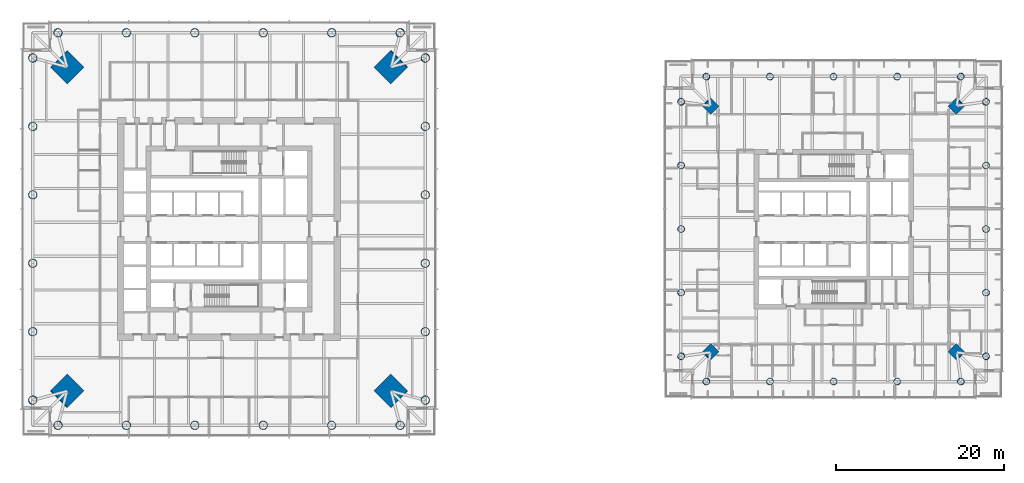
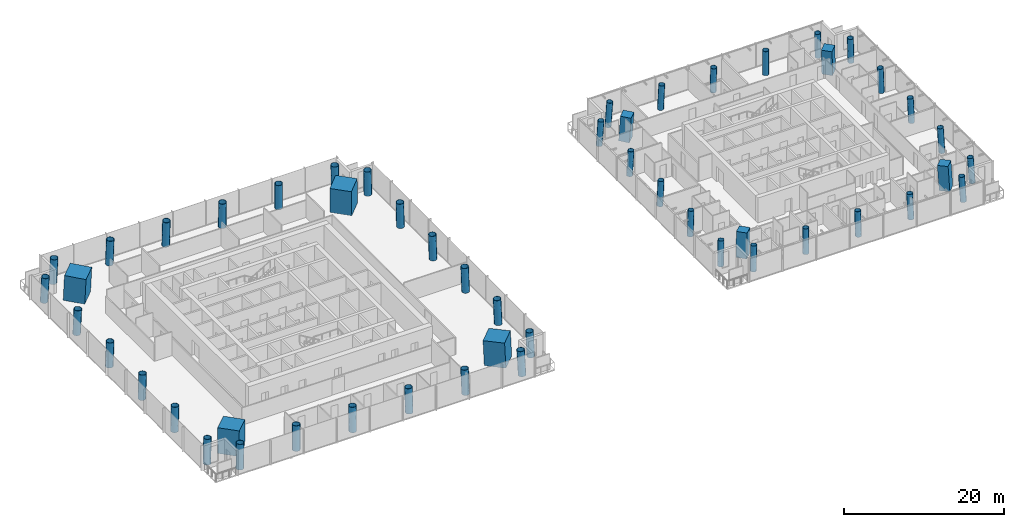
# One storey, part 1 of 22: 52 columns.
"""IFC4 building model written with IfcOpenShell, lengths in metres."""

from ifc_helpers import new_model, si_unit, direction, frame, origin, origin_2d, place, context, subcontext, project, spatial, rectangle, hollow_circle, extrude, material, material_profile, profile_set, type_object, element, save


model = new_model("IFC4")

# Units and contexts
model_context = context("Model", 3, precision=1e-05, world=origin(), true_north=direction((0.0, 1.0)))
body_context = subcontext(model_context, "Body", "Model", "MODEL_VIEW")
ifc_project = project(units=[si_unit("LENGTHUNIT", "METRE"), si_unit("AREAUNIT", "SQUARE_METRE"), si_unit("VOLUMEUNIT", "CUBIC_METRE"), si_unit("PLANEANGLEUNIT", "RADIAN"), si_unit("MASSUNIT", "GRAM", prefix="KILO")], contexts=[model_context])

# Site, building, storey
site_placement = place(None, origin())
site = spatial("IfcSite", under=ifc_project, at=site_placement, CompositionType="ELEMENT")
building_placement = place(site_placement, origin())
building = spatial("IfcBuilding", under=site, at=building_placement, Name="Ostroluk Exchange", CompositionType="ELEMENT")
storey_placement = place(building_placement, frame((0.0, 0.0, 40.0)))
storey = spatial("IfcBuildingStorey", under=building, at=storey_placement, Name="L09", CompositionType="ELEMENT", Elevation=40.0)

# Columns
ifc_material_1 = material(Name="Concrete C50/60", Category="concrete")
ifc_material_profile_1 = material_profile(ifc_material_1, rectangle(XDim=1.39990234375, YDim=1.39990234375, at=origin_2d()), Name="RC 1400x1400")
ifc_profile_set_1 = profile_set([ifc_material_profile_1], Name="Concrete C50/60")
column_type_1 = type_object("IfcColumnType", Name="Mega column RC 1400x1400", PredefinedType="COLUMN", material=ifc_profile_set_1)
for number, where, z_axis, x_axis, name in (
    (1, (131.68115234375, 60.68115234375, 0.0), (-0.043029647111, -0.043029647111, 0.998146732169), (0.707106781187, -0.707106781187, 0.0), "T2 mega column NE"),
    (2, (102.31884765625, 60.68115234375, 0.0), (0.043029647111, -0.043029647111, 0.998146732169), (0.707106781187, 0.707106781187, 0.0), "T2 mega column NW"),
    (3, (102.31884765625, 31.31884765625, 0.0), (0.043029647111, 0.043029647111, 0.998146732169), (-0.707106781187, 0.707106781187, 0.0), "T2 mega column SW"),
    (4, (131.68115234375, 31.31884765625, 0.0), (-0.043029647111, 0.043029647111, 0.998146732169), (-0.707106781187, -0.707106781187, 0.0), "T2 mega column SE"),
):
    element("IfcColumn", number, at=place(storey_placement, frame(where, z_axis=z_axis, x_axis=x_axis)), inside=storey, type_object=column_type_1, Name=name, PredefinedType="COLUMN", context=body_context, shape_type="SweptSolid", body=[
        extrude(rectangle(XDim=1.39990234375, YDim=1.39990234375, at=origin_2d()), origin(), (0.0, 0.0, 1.0), 3.80712890625),
    ])
ifc_material_2 = material(Name="Concrete C50/60", Category="concrete")
ifc_material_profile_2 = material_profile(ifc_material_2, rectangle(XDim=2.800048828125, YDim=2.800048828125, at=origin_2d()), Name="RC 2800x2800")
ifc_profile_set_2 = profile_set([ifc_material_profile_2], Name="Concrete C50/60")
column_type_2 = type_object("IfcColumnType", Name="Mega column RC 2800x2800", PredefinedType="COLUMN", material=ifc_profile_set_2)
for number, where, z_axis, x_axis, name in (
    (5, (64.29296875, 65.29296875, 0.0), (-0.031962158256, -0.031962158256, 0.998977898093), (0.707106781187, -0.707106781187, 0.0), "T1 mega column NE"),
    (6, (25.70703125, 65.29296875, 0.0), (0.031962158256, -0.031962158256, 0.998977898093), (0.707106781187, 0.707106781187, 0.0), "T1 mega column NW"),
    (7, (25.70703125, 26.70703125, 0.0), (0.031962158256, 0.031962158256, 0.998977898093), (-0.707106781187, 0.707106781187, 0.0), "T1 mega column SW"),
    (8, (64.29296875, 26.70703125, 0.0), (-0.031962158256, 0.031962158256, 0.998977898093), (-0.707106781187, -0.707106781187, 0.0), "T1 mega column SE"),
):
    element("IfcColumn", number, at=place(storey_placement, frame(where, z_axis=z_axis, x_axis=x_axis)), inside=storey, type_object=column_type_2, Name=name, PredefinedType="COLUMN", context=body_context, shape_type="SweptSolid", body=[
        extrude(rectangle(XDim=2.800048828125, YDim=2.800048828125, at=origin_2d()), origin(), (0.0, 0.0, 1.0), 3.803955078125),
    ])
ifc_material_3 = material(Name="Steel S460", Category="steel")
ifc_material_profile_3 = material_profile(ifc_material_3, hollow_circle(Radius=0.508056640625, WallThickness=0.0400390625, at=origin_2d()), Name="CHS 1016x40")
ifc_profile_set_3 = profile_set([ifc_material_profile_3], Name="Steel S460")
column_type_3 = type_object("IfcColumnType", Name="Perimeter column CHS 1016x40", PredefinedType="COLUMN", material=ifc_profile_set_3)
for number, where, z_axis, x_axis, name in (
    (9, (68.392822265625, 25.607177734375, 0.0), (-0.031898107953, 0.031898107953, 0.998981992539), (-0.707106781187, -0.707106781187, 0.0), "T1 east face column E0"),
    (10, (68.392822265625, 66.392822265625, 0.0), (-0.031898107953, -0.031898107953, 0.998981992539), (0.707106781187, -0.707106781187, 0.0), "T1 east face column E1"),
):
    element("IfcColumn", number, at=place(storey_placement, frame(where, z_axis=z_axis, x_axis=x_axis)), inside=storey, type_object=column_type_3, Name=name, PredefinedType="COLUMN", context=body_context, shape_type="SweptSolid", body=[
        extrude(hollow_circle(Radius=0.508056640625, WallThickness=0.0400390625, at=origin_2d()), origin(), (0.0, 0.0, 1.0), 3.803955078125),
    ])
column_1_placement = place(storey_placement, frame((68.392822265625, 33.764404296875, 0.0), z_axis=(-0.031908506785, 0.019132263625, 0.999307662176), x_axis=(-0.514241961696, -0.857645150882, 0.0)))
element("IfcColumn", 11, at=column_1_placement, inside=storey, type_object=column_type_3, Name="T1 east face column I1", PredefinedType="COLUMN", context=body_context, shape_type="SweptSolid", body=[
    extrude(hollow_circle(Radius=0.508056640625, WallThickness=0.0400390625, at=origin_2d()), origin(), (0.0, 0.0, 1.0), 3.802734375),
])
for number, where, z_axis, x_axis, name in (
    (12, (68.392822265625, 41.92138671875, 0.0), (-0.031913690376, 0.006421265669, 0.999470001408), (-0.197254006954, -0.980352414563, 0.0), "T1 east face column I2"),
    (13, (68.392822265625, 50.07861328125, 0.0), (-0.031913690376, -0.006421265669, 0.999470001408), (0.197254006954, -0.980352414563, 0.0), "T1 east face column I3"),
):
    element("IfcColumn", number, at=place(storey_placement, frame(where, z_axis=z_axis, x_axis=x_axis)), inside=storey, type_object=column_type_3, Name=name, PredefinedType="COLUMN", context=body_context, shape_type="SweptSolid", body=[
        extrude(hollow_circle(Radius=0.508056640625, WallThickness=0.0400390625, at=origin_2d()), origin(), (0.0, 0.0, 1.0), 3.802001953125),
    ])
column_2_placement = place(storey_placement, frame((68.392822265625, 58.235595703125, 0.0), z_axis=(-0.031908506785, -0.019132263625, 0.999307662176), x_axis=(0.514241961696, -0.857645150882, 0.0)))
element("IfcColumn", 14, at=column_2_placement, inside=storey, type_object=column_type_3, Name="T1 east face column I4", PredefinedType="COLUMN", context=body_context, shape_type="SweptSolid", body=[
    extrude(hollow_circle(Radius=0.508056640625, WallThickness=0.0400390625, at=origin_2d()), origin(), (0.0, 0.0, 1.0), 3.802734375),
])
for number, where, z_axis, x_axis, name in (
    (15, (65.392822265625, 69.392822265625, 0.0), (-0.031898107953, -0.031898107953, 0.998981992539), (0.707106781187, -0.707106781187, 0.0), "T1 north face column E0"),
    (16, (24.607177734375, 69.392822265625, 0.0), (0.031898107953, -0.031898107953, 0.998981992539), (0.707106781187, 0.707106781187, 0.0), "T1 north face column E1"),
):
    element("IfcColumn", number, at=place(storey_placement, frame(where, z_axis=z_axis, x_axis=x_axis)), inside=storey, type_object=column_type_3, Name=name, PredefinedType="COLUMN", context=body_context, shape_type="SweptSolid", body=[
        extrude(hollow_circle(Radius=0.508056640625, WallThickness=0.0400390625, at=origin_2d()), origin(), (0.0, 0.0, 1.0), 3.803955078125),
    ])
column_3_placement = place(storey_placement, frame((57.235595703125, 69.392822265625, 0.0), z_axis=(-0.019132263625, -0.031908506785, 0.999307662176), x_axis=(0.857645150882, -0.514241961696, 0.0)))
element("IfcColumn", 17, at=column_3_placement, inside=storey, type_object=column_type_3, Name="T1 north face column I1", PredefinedType="COLUMN", context=body_context, shape_type="SweptSolid", body=[
    extrude(hollow_circle(Radius=0.508056640625, WallThickness=0.0400390625, at=origin_2d()), origin(), (0.0, 0.0, 1.0), 3.802734375),
])
for number, where, z_axis, x_axis, name in (
    (18, (49.07861328125, 69.392822265625, 0.0), (-0.006421265669, -0.031913690376, 0.999470001408), (0.980352414563, -0.197254006954, 0.0), "T1 north face column I2"),
    (19, (40.92138671875, 69.392822265625, 0.0), (0.006421265669, -0.031913690376, 0.999470001408), (0.980352414563, 0.197254006954, 0.0), "T1 north face column I3"),
):
    element("IfcColumn", number, at=place(storey_placement, frame(where, z_axis=z_axis, x_axis=x_axis)), inside=storey, type_object=column_type_3, Name=name, PredefinedType="COLUMN", context=body_context, shape_type="SweptSolid", body=[
        extrude(hollow_circle(Radius=0.508056640625, WallThickness=0.0400390625, at=origin_2d()), origin(), (0.0, 0.0, 1.0), 3.802001953125),
    ])
column_4_placement = place(storey_placement, frame((32.764404296875, 69.392822265625, 0.0), z_axis=(0.019132263625, -0.031908506785, 0.999307662176), x_axis=(0.857645150882, 0.514241961696, 0.0)))
element("IfcColumn", 20, at=column_4_placement, inside=storey, type_object=column_type_3, Name="T1 north face column I4", PredefinedType="COLUMN", context=body_context, shape_type="SweptSolid", body=[
    extrude(hollow_circle(Radius=0.508056640625, WallThickness=0.0400390625, at=origin_2d()), origin(), (0.0, 0.0, 1.0), 3.802734375),
])
for number, where, z_axis, x_axis, name in (
    (21, (21.607177734375, 66.392822265625, 0.0), (0.031898107953, -0.031898107953, 0.998981992539), (0.707106781187, 0.707106781187, 0.0), "T1 west face column E0"),
    (22, (21.607177734375, 25.607177734375, 0.0), (0.031898107953, 0.031898107953, 0.998981992539), (-0.707106781187, 0.707106781187, 0.0), "T1 west face column E1"),
):
    element("IfcColumn", number, at=place(storey_placement, frame(where, z_axis=z_axis, x_axis=x_axis)), inside=storey, type_object=column_type_3, Name=name, PredefinedType="COLUMN", context=body_context, shape_type="SweptSolid", body=[
        extrude(hollow_circle(Radius=0.508056640625, WallThickness=0.0400390625, at=origin_2d()), origin(), (0.0, 0.0, 1.0), 3.803955078125),
    ])
column_5_placement = place(storey_placement, frame((21.607177734375, 58.235595703125, 0.0), z_axis=(0.031908506785, -0.019132263625, 0.999307662176), x_axis=(0.514241961696, 0.857645150882, 0.0)))
element("IfcColumn", 23, at=column_5_placement, inside=storey, type_object=column_type_3, Name="T1 west face column I1", PredefinedType="COLUMN", context=body_context, shape_type="SweptSolid", body=[
    extrude(hollow_circle(Radius=0.508056640625, WallThickness=0.0400390625, at=origin_2d()), origin(), (0.0, 0.0, 1.0), 3.802734375),
])
for number, where, z_axis, x_axis, name in (
    (24, (21.607177734375, 50.07861328125, 0.0), (0.031913690376, -0.006421265669, 0.999470001408), (0.197254006954, 0.980352414563, 0.0), "T1 west face column I2"),
    (25, (21.607177734375, 41.92138671875, 0.0), (0.031913690376, 0.006421265669, 0.999470001408), (-0.197254006954, 0.980352414563, 0.0), "T1 west face column I3"),
):
    element("IfcColumn", number, at=place(storey_placement, frame(where, z_axis=z_axis, x_axis=x_axis)), inside=storey, type_object=column_type_3, Name=name, PredefinedType="COLUMN", context=body_context, shape_type="SweptSolid", body=[
        extrude(hollow_circle(Radius=0.508056640625, WallThickness=0.0400390625, at=origin_2d()), origin(), (0.0, 0.0, 1.0), 3.802001953125),
    ])
column_6_placement = place(storey_placement, frame((21.607177734375, 33.764404296875, 0.0), z_axis=(0.031908506785, 0.019132263625, 0.999307662176), x_axis=(-0.514241961696, 0.857645150882, 0.0)))
element("IfcColumn", 26, at=column_6_placement, inside=storey, type_object=column_type_3, Name="T1 west face column I4", PredefinedType="COLUMN", context=body_context, shape_type="SweptSolid", body=[
    extrude(hollow_circle(Radius=0.508056640625, WallThickness=0.0400390625, at=origin_2d()), origin(), (0.0, 0.0, 1.0), 3.802734375),
])
for number, where, z_axis, x_axis, name in (
    (27, (24.607177734375, 22.607177734375, 0.0), (0.031898107953, 0.031898107953, 0.998981992539), (-0.707106781187, 0.707106781187, 0.0), "T1 south face column E0"),
    (28, (65.392822265625, 22.607177734375, 0.0), (-0.031898107953, 0.031898107953, 0.998981992539), (-0.707106781187, -0.707106781187, 0.0), "T1 south face column E1"),
):
    element("IfcColumn", number, at=place(storey_placement, frame(where, z_axis=z_axis, x_axis=x_axis)), inside=storey, type_object=column_type_3, Name=name, PredefinedType="COLUMN", context=body_context, shape_type="SweptSolid", body=[
        extrude(hollow_circle(Radius=0.508056640625, WallThickness=0.0400390625, at=origin_2d()), origin(), (0.0, 0.0, 1.0), 3.803955078125),
    ])
column_7_placement = place(storey_placement, frame((32.764404296875, 22.607177734375, 0.0), z_axis=(0.019132263625, 0.031908506785, 0.999307662176), x_axis=(-0.857645150882, 0.514241961696, 0.0)))
element("IfcColumn", 29, at=column_7_placement, inside=storey, type_object=column_type_3, Name="T1 south face column I1", PredefinedType="COLUMN", context=body_context, shape_type="SweptSolid", body=[
    extrude(hollow_circle(Radius=0.508056640625, WallThickness=0.0400390625, at=origin_2d()), origin(), (0.0, 0.0, 1.0), 3.802734375),
])
for number, where, z_axis, x_axis, name in (
    (30, (40.92138671875, 22.607177734375, 0.0), (0.006421265669, 0.031913690376, 0.999470001408), (-0.980352414563, 0.197254006954, 0.0), "T1 south face column I2"),
    (31, (49.07861328125, 22.607177734375, 0.0), (-0.006421265669, 0.031913690376, 0.999470001408), (-0.980352414563, -0.197254006954, 0.0), "T1 south face column I3"),
):
    element("IfcColumn", number, at=place(storey_placement, frame(where, z_axis=z_axis, x_axis=x_axis)), inside=storey, type_object=column_type_3, Name=name, PredefinedType="COLUMN", context=body_context, shape_type="SweptSolid", body=[
        extrude(hollow_circle(Radius=0.508056640625, WallThickness=0.0400390625, at=origin_2d()), origin(), (0.0, 0.0, 1.0), 3.802001953125),
    ])
column_8_placement = place(storey_placement, frame((57.235595703125, 22.607177734375, 0.0), z_axis=(-0.019132263625, 0.031908506785, 0.999307662176), x_axis=(-0.857645150882, -0.514241961696, 0.0)))
element("IfcColumn", 32, at=column_8_placement, inside=storey, type_object=column_type_3, Name="T1 south face column I4", PredefinedType="COLUMN", context=body_context, shape_type="SweptSolid", body=[
    extrude(hollow_circle(Radius=0.508056640625, WallThickness=0.0400390625, at=origin_2d()), origin(), (0.0, 0.0, 1.0), 3.802734375),
])
ifc_material_4 = material(Name="Steel S460", Category="steel")
ifc_material_profile_4 = material_profile(ifc_material_4, hollow_circle(Radius=0.406494140625, WallThickness=0.030029296875, at=origin_2d()), Name="CHS 813x30")
ifc_profile_set_4 = profile_set([ifc_material_profile_4], Name="Steel S460")
column_type_4 = type_object("IfcColumnType", Name="Perimeter column CHS 813x30", PredefinedType="COLUMN", material=ifc_profile_set_4)
for number, where, z_axis, x_axis, name in (
    (33, (135.18115234375, 30.81884765625, 0.0), (-0.043029647111, 0.043029647111, 0.998146732169), (-0.707106781187, -0.707106781187, 0.0), "T2 east face column E0"),
    (34, (135.18115234375, 61.18115234375, 0.0), (-0.043029647111, -0.043029647111, 0.998146732169), (0.707106781187, -0.707106781187, 0.0), "T2 east face column E1"),
):
    element("IfcColumn", number, at=place(storey_placement, frame(where, z_axis=z_axis, x_axis=x_axis)), inside=storey, type_object=column_type_4, Name=name, PredefinedType="COLUMN", context=body_context, shape_type="SweptSolid", body=[
        extrude(hollow_circle(Radius=0.406494140625, WallThickness=0.030029296875, at=origin_2d()), origin(), (0.0, 0.0, 1.0), 3.80712890625),
    ])
column_9_placement = place(storey_placement, frame((135.18115234375, 38.409423828125, 0.0), z_axis=(-0.043059525333, 0.021561848751, 0.998839808957), x_axis=(-0.44774654769, -0.894160516368, 0.0)))
element("IfcColumn", 35, at=column_9_placement, inside=storey, type_object=column_type_4, Name="T2 east face column I1", PredefinedType="COLUMN", context=body_context, shape_type="SweptSolid", body=[
    extrude(hollow_circle(Radius=0.406494140625, WallThickness=0.030029296875, at=origin_2d()), origin(), (0.0, 0.0, 1.0), 3.804443359375),
])
column_10_placement = place(storey_placement, frame((135.18115234375, 46.0, 0.0), z_axis=(-0.043069538298, 0.0, 0.999072076915), x_axis=(0.0, -1.0, 0.0)))
element("IfcColumn", 36, at=column_10_placement, inside=storey, type_object=column_type_4, Name="T2 east face column I2", PredefinedType="COLUMN", context=body_context, shape_type="SweptSolid", body=[
    extrude(hollow_circle(Radius=0.406494140625, WallThickness=0.030029296875, at=origin_2d()), origin(), (0.0, 0.0, 1.0), 3.803466796875),
])
column_11_placement = place(storey_placement, frame((135.18115234375, 53.590576171875, 0.0), z_axis=(-0.043059525333, -0.021561848751, 0.998839808957), x_axis=(0.44774654769, -0.894160516368, 0.0)))
element("IfcColumn", 37, at=column_11_placement, inside=storey, type_object=column_type_4, Name="T2 east face column I3", PredefinedType="COLUMN", context=body_context, shape_type="SweptSolid", body=[
    extrude(hollow_circle(Radius=0.406494140625, WallThickness=0.030029296875, at=origin_2d()), origin(), (0.0, 0.0, 1.0), 3.804443359375),
])
for number, where, z_axis, x_axis, name in (
    (38, (132.18115234375, 64.18115234375, 0.0), (-0.043029647111, -0.043029647111, 0.998146732169), (0.707106781187, -0.707106781187, 0.0), "T2 north face column E0"),
    (39, (101.81884765625, 64.18115234375, 0.0), (0.043029647111, -0.043029647111, 0.998146732169), (0.707106781187, 0.707106781187, 0.0), "T2 north face column E1"),
):
    element("IfcColumn", number, at=place(storey_placement, frame(where, z_axis=z_axis, x_axis=x_axis)), inside=storey, type_object=column_type_4, Name=name, PredefinedType="COLUMN", context=body_context, shape_type="SweptSolid", body=[
        extrude(hollow_circle(Radius=0.406494140625, WallThickness=0.030029296875, at=origin_2d()), origin(), (0.0, 0.0, 1.0), 3.80712890625),
    ])
column_12_placement = place(storey_placement, frame((124.590576171875, 64.18115234375, 0.0), z_axis=(-0.021561848751, -0.043059525333, 0.998839808957), x_axis=(0.894160516368, -0.44774654769, 0.0)))
element("IfcColumn", 40, at=column_12_placement, inside=storey, type_object=column_type_4, Name="T2 north face column I1", PredefinedType="COLUMN", context=body_context, shape_type="SweptSolid", body=[
    extrude(hollow_circle(Radius=0.406494140625, WallThickness=0.030029296875, at=origin_2d()), origin(), (0.0, 0.0, 1.0), 3.804443359375),
])
column_13_placement = place(storey_placement, frame((117.0, 64.18115234375, 0.0), z_axis=(0.0, -0.043069538298, 0.999072076915), x_axis=(1.0, 0.0, 0.0)))
element("IfcColumn", 41, at=column_13_placement, inside=storey, type_object=column_type_4, Name="T2 north face column I2", PredefinedType="COLUMN", context=body_context, shape_type="SweptSolid", body=[
    extrude(hollow_circle(Radius=0.406494140625, WallThickness=0.030029296875, at=origin_2d()), origin(), (0.0, 0.0, 1.0), 3.803466796875),
])
column_14_placement = place(storey_placement, frame((109.409423828125, 64.18115234375, 0.0), z_axis=(0.021561848751, -0.043059525333, 0.998839808957), x_axis=(0.894160516368, 0.44774654769, 0.0)))
element("IfcColumn", 42, at=column_14_placement, inside=storey, type_object=column_type_4, Name="T2 north face column I3", PredefinedType="COLUMN", context=body_context, shape_type="SweptSolid", body=[
    extrude(hollow_circle(Radius=0.406494140625, WallThickness=0.030029296875, at=origin_2d()), origin(), (0.0, 0.0, 1.0), 3.804443359375),
])
for number, where, z_axis, x_axis, name in (
    (43, (98.81884765625, 61.18115234375, 0.0), (0.043029647111, -0.043029647111, 0.998146732169), (0.707106781187, 0.707106781187, 0.0), "T2 west face column E0"),
    (44, (98.81884765625, 30.81884765625, 0.0), (0.043029647111, 0.043029647111, 0.998146732169), (-0.707106781187, 0.707106781187, 0.0), "T2 west face column E1"),
):
    element("IfcColumn", number, at=place(storey_placement, frame(where, z_axis=z_axis, x_axis=x_axis)), inside=storey, type_object=column_type_4, Name=name, PredefinedType="COLUMN", context=body_context, shape_type="SweptSolid", body=[
        extrude(hollow_circle(Radius=0.406494140625, WallThickness=0.030029296875, at=origin_2d()), origin(), (0.0, 0.0, 1.0), 3.80712890625),
    ])
column_15_placement = place(storey_placement, frame((98.81884765625, 53.590576171875, 0.0), z_axis=(0.043059525333, -0.021561848751, 0.998839808957), x_axis=(0.44774654769, 0.894160516368, 0.0)))
element("IfcColumn", 45, at=column_15_placement, inside=storey, type_object=column_type_4, Name="T2 west face column I1", PredefinedType="COLUMN", context=body_context, shape_type="SweptSolid", body=[
    extrude(hollow_circle(Radius=0.406494140625, WallThickness=0.030029296875, at=origin_2d()), origin(), (0.0, 0.0, 1.0), 3.804443359375),
])
column_16_placement = place(storey_placement, frame((98.81884765625, 46.0, 0.0), z_axis=(0.043069538298, 0.0, 0.999072076915), x_axis=(0.0, 1.0, 0.0)))
element("IfcColumn", 46, at=column_16_placement, inside=storey, type_object=column_type_4, Name="T2 west face column I2", PredefinedType="COLUMN", context=body_context, shape_type="SweptSolid", body=[
    extrude(hollow_circle(Radius=0.406494140625, WallThickness=0.030029296875, at=origin_2d()), origin(), (0.0, 0.0, 1.0), 3.803466796875),
])
column_17_placement = place(storey_placement, frame((98.81884765625, 38.409423828125, 0.0), z_axis=(0.043059525333, 0.021561848751, 0.998839808957), x_axis=(-0.44774654769, 0.894160516368, 0.0)))
element("IfcColumn", 47, at=column_17_placement, inside=storey, type_object=column_type_4, Name="T2 west face column I3", PredefinedType="COLUMN", context=body_context, shape_type="SweptSolid", body=[
    extrude(hollow_circle(Radius=0.406494140625, WallThickness=0.030029296875, at=origin_2d()), origin(), (0.0, 0.0, 1.0), 3.804443359375),
])
for number, where, z_axis, x_axis, name in (
    (48, (101.81884765625, 27.81884765625, 0.0), (0.043029647111, 0.043029647111, 0.998146732169), (-0.707106781187, 0.707106781187, 0.0), "T2 south face column E0"),
    (49, (132.18115234375, 27.81884765625, 0.0), (-0.043029647111, 0.043029647111, 0.998146732169), (-0.707106781187, -0.707106781187, 0.0), "T2 south face column E1"),
):
    element("IfcColumn", number, at=place(storey_placement, frame(where, z_axis=z_axis, x_axis=x_axis)), inside=storey, type_object=column_type_4, Name=name, PredefinedType="COLUMN", context=body_context, shape_type="SweptSolid", body=[
        extrude(hollow_circle(Radius=0.406494140625, WallThickness=0.030029296875, at=origin_2d()), origin(), (0.0, 0.0, 1.0), 3.80712890625),
    ])
column_18_placement = place(storey_placement, frame((109.409423828125, 27.81884765625, 0.0), z_axis=(0.021561848751, 0.043059525333, 0.998839808957), x_axis=(-0.894160516368, 0.44774654769, 0.0)))
element("IfcColumn", 50, at=column_18_placement, inside=storey, type_object=column_type_4, Name="T2 south face column I1", PredefinedType="COLUMN", context=body_context, shape_type="SweptSolid", body=[
    extrude(hollow_circle(Radius=0.406494140625, WallThickness=0.030029296875, at=origin_2d()), origin(), (0.0, 0.0, 1.0), 3.804443359375),
])
column_19_placement = place(storey_placement, frame((117.0, 27.81884765625, 0.0), z_axis=(0.0, 0.043069538298, 0.999072076915), x_axis=(-1.0, 0.0, 0.0)))
element("IfcColumn", 51, at=column_19_placement, inside=storey, type_object=column_type_4, Name="T2 south face column I2", PredefinedType="COLUMN", context=body_context, shape_type="SweptSolid", body=[
    extrude(hollow_circle(Radius=0.406494140625, WallThickness=0.030029296875, at=origin_2d()), origin(), (0.0, 0.0, 1.0), 3.803466796875),
])
column_20_placement = place(storey_placement, frame((124.590576171875, 27.81884765625, 0.0), z_axis=(-0.021561848751, 0.043059525333, 0.998839808957), x_axis=(-0.894160516368, -0.44774654769, 0.0)))
element("IfcColumn", 52, at=column_20_placement, inside=storey, type_object=column_type_4, Name="T2 south face column I3", PredefinedType="COLUMN", context=body_context, shape_type="SweptSolid", body=[
    extrude(hollow_circle(Radius=0.406494140625, WallThickness=0.030029296875, at=origin_2d()), origin(), (0.0, 0.0, 1.0), 3.804443359375),
])

save(model, "model.ifc")
